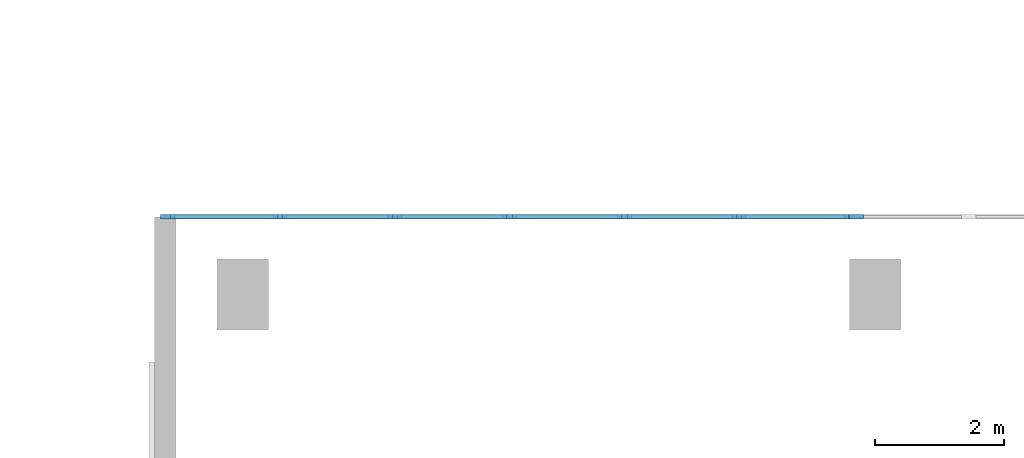
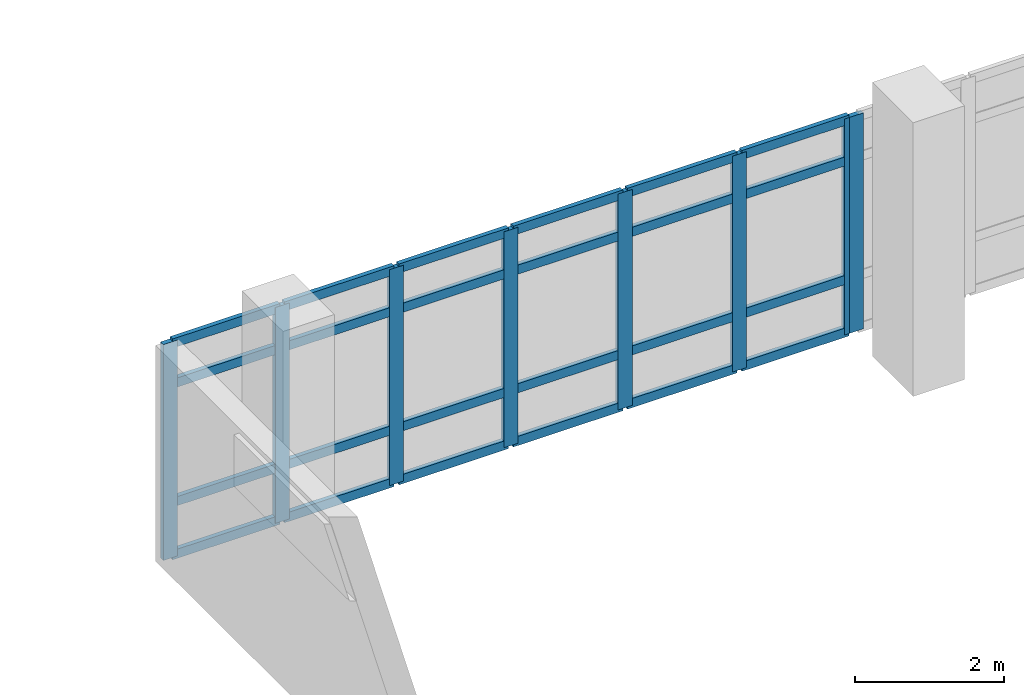
# One storey, part 73 of 120: 32 members, 2 elements without a shape of their own.
"""IFC4 building model written with IfcOpenShell, lengths in metres."""

from ifc_helpers import new_model, si_unit, direction, frame, origin, origin_2d, place, context, subcontext, project, spatial, rectangle, extrude, material, layer, layer_set, material_profile, profile_set, type_object, element, aggregate, save


model = new_model("IFC4")

# Units and contexts
model_context = context("Model", 3, precision=1e-05, world=origin(), true_north=direction((0.0, 1.0)))
body_context = subcontext(model_context, "Body", "Model", "MODEL_VIEW")
ifc_project = project(units=[si_unit("LENGTHUNIT", "METRE"), si_unit("AREAUNIT", "SQUARE_METRE"), si_unit("VOLUMEUNIT", "CUBIC_METRE"), si_unit("PLANEANGLEUNIT", "RADIAN"), si_unit("MASSUNIT", "GRAM", prefix="KILO")], contexts=[model_context])

# Site, building, storey
site_placement = place(None, origin())
site = spatial("IfcSite", under=ifc_project, at=site_placement, CompositionType="ELEMENT")
building_placement = place(site_placement, origin())
building = spatial("IfcBuilding", under=site, at=building_placement, Name="Sohan Crest Arena", CompositionType="ELEMENT")
storey_placement = place(building_placement, frame((0.0, 0.0, 13.5)))
storey = spatial("IfcBuildingStorey", under=building, at=storey_placement, Name="L03", CompositionType="ELEMENT", Elevation=13.5)

# Curtain wall, member
ifc_material = material(Name="Thermally broken anodised aluminium", Category="aluminium")
ifc_layer = layer(ifc_material, 0.2099609375, Name="Thermally broken anodised aluminium")
ifc_layer_set = layer_set([ifc_layer], Name="Thermally broken anodised aluminium")
curtain_wall_type = type_object("IfcCurtainWallType", Name="ARC-CW06", PredefinedType="NOTDEFINED", material=ifc_layer_set)
curtain_wall_1_placement = place(storey_placement, origin())
curtain_wall_1 = element("IfcCurtainWall", 1, at=curtain_wall_1_placement, inside=storey, type_object=curtain_wall_type, Name="Unitised curtain wall CW-221", PredefinedType="NOTDEFINED")
ifc_material_profile_1 = material_profile(ifc_material, rectangle(XDim=0.074951171875, YDim=0.219970703125, at=origin_2d()), Name="ALU-MULL 75x220")
ifc_profile_set_1 = profile_set([ifc_material_profile_1], Name="Thermally broken anodised aluminium")
member_type_1 = type_object("IfcMemberType", Name="ARC-CW-ML04", PredefinedType="MULLION", material=ifc_profile_set_1)
member_1_placement = place(storey_placement, frame((205.70458984375, 112.0, 0.0), z_axis=(0.0, 0.0, 1.0), x_axis=(0.0, -1.0, 0.0)))
member_1 = element("IfcMember", 2, at=member_1_placement, type_object=member_type_1, Name="CW-221 mullion 7", PredefinedType="MULLION", context=body_context, shape_type="SweptSolid", body=[
    extrude(rectangle(XDim=0.074951171875, YDim=0.219970703125, at=origin_2d()), origin(), (0.0, 0.0, 1.0), 3.550048828125),
])
aggregate(curtain_wall_1, [member_1])

# Curtain wall, members
curtain_wall_2_placement = place(storey_placement, origin())
curtain_wall_2 = element("IfcCurtainWall", 3, at=curtain_wall_2_placement, inside=storey, type_object=curtain_wall_type, Name="Unitised curtain wall CW-222", PredefinedType="NOTDEFINED")
member_2_placement = place(storey_placement, frame((205.62939453125, 112.0, 0.0), z_axis=(0.0, 0.0, 1.0), x_axis=(0.0, -1.0, 0.0)))
member_2 = element("IfcMember", 4, at=member_2_placement, type_object=member_type_1, Name="CW-222 mullion 1", PredefinedType="MULLION", context=body_context, shape_type="SweptSolid", body=[
    extrude(rectangle(XDim=0.074951171875, YDim=0.219970703125, at=origin_2d()), origin(), (0.0, 0.0, 1.0), 3.550048828125),
])
member_3_placement = place(storey_placement, frame((203.88916015625, 112.0, 0.0), z_axis=(0.0, 0.0, 1.0), x_axis=(0.0, -1.0, 0.0)))
member_3 = element("IfcMember", 5, at=member_3_placement, type_object=member_type_1, Name="CW-222 mullion 2", PredefinedType="MULLION", context=body_context, shape_type="SweptSolid", body=[
    extrude(rectangle(XDim=0.074951171875, YDim=0.219970703125, at=origin_2d()), origin(), (0.0, 0.0, 1.0), 3.550048828125),
])
member_4_placement = place(storey_placement, frame((202.111328125, 112.0, 0.0), z_axis=(0.0, 0.0, 1.0), x_axis=(0.0, -1.0, 0.0)))
member_4 = element("IfcMember", 6, at=member_4_placement, type_object=member_type_1, Name="CW-222 mullion 3", PredefinedType="MULLION", context=body_context, shape_type="SweptSolid", body=[
    extrude(rectangle(XDim=0.074951171875, YDim=0.219970703125, at=origin_2d()), origin(), (0.0, 0.0, 1.0), 3.550048828125),
])
member_5_placement = place(storey_placement, frame((200.33349609375, 112.0, 0.0), z_axis=(0.0, 0.0, 1.0), x_axis=(0.0, -1.0, 0.0)))
member_5 = element("IfcMember", 7, at=member_5_placement, type_object=member_type_1, Name="CW-222 mullion 4", PredefinedType="MULLION", context=body_context, shape_type="SweptSolid", body=[
    extrude(rectangle(XDim=0.074951171875, YDim=0.219970703125, at=origin_2d()), origin(), (0.0, 0.0, 1.0), 3.550048828125),
])
member_6_placement = place(storey_placement, frame((198.5556640625, 112.0, 0.0), z_axis=(0.0, 0.0, 1.0), x_axis=(0.0, -1.0, 0.0)))
member_6 = element("IfcMember", 8, at=member_6_placement, type_object=member_type_1, Name="CW-222 mullion 5", PredefinedType="MULLION", context=body_context, shape_type="SweptSolid", body=[
    extrude(rectangle(XDim=0.074951171875, YDim=0.219970703125, at=origin_2d()), origin(), (0.0, 0.0, 1.0), 3.550048828125),
])
member_7_placement = place(storey_placement, frame((196.77783203125, 112.0, 0.0), z_axis=(0.0, 0.0, 1.0), x_axis=(0.0, -1.0, 0.0)))
member_7 = element("IfcMember", 9, at=member_7_placement, type_object=member_type_1, Name="CW-222 mullion 6", PredefinedType="MULLION", context=body_context, shape_type="SweptSolid", body=[
    extrude(rectangle(XDim=0.074951171875, YDim=0.219970703125, at=origin_2d()), origin(), (0.0, 0.0, 1.0), 3.550048828125),
])
member_8_placement = place(storey_placement, frame((195.03759765625, 112.0, 0.0), z_axis=(0.0, 0.0, 1.0), x_axis=(0.0, -1.0, 0.0)))
member_8 = element("IfcMember", 10, at=member_8_placement, type_object=member_type_1, Name="CW-222 mullion 7", PredefinedType="MULLION", context=body_context, shape_type="SweptSolid", body=[
    extrude(rectangle(XDim=0.074951171875, YDim=0.219970703125, at=origin_2d()), origin(), (0.0, 0.0, 1.0), 3.550048828125),
])
ifc_material_profile_2 = material_profile(ifc_material, rectangle(XDim=0.070068359375, YDim=0.14990234375, at=origin_2d()), Name="ALU-TRAN 70x150")
ifc_profile_set_2 = profile_set([ifc_material_profile_2], Name="Thermally broken anodised aluminium")
member_type_2 = type_object("IfcMemberType", Name="ARC-CW-TR03", PredefinedType="USERDEFINED", material=ifc_profile_set_2)
member_9_placement = place(storey_placement, frame((205.592041015625, 112.0, 0.034912109375), z_axis=(-1.0, 0.0, 0.0), x_axis=(0.0, -1.0, 0.0)))
member_9 = element("IfcMember", 11, at=member_9_placement, type_object=member_type_2, Name="CW-222 transom 1.1", ObjectType="TRANSOM", PredefinedType="USERDEFINED", context=body_context, shape_type="SweptSolid", body=[
    extrude(rectangle(XDim=0.070068359375, YDim=0.14990234375, at=origin_2d()), origin(), (0.0, 0.0, 1.0), 1.665283203125),
])
member_10_placement = place(storey_placement, frame((205.592041015625, 112.0, 0.89990234375), z_axis=(-1.0, 0.0, 0.0), x_axis=(0.0, -1.0, 0.0)))
member_10 = element("IfcMember", 12, at=member_10_placement, type_object=member_type_2, Name="CW-222 transom 1.2", ObjectType="TRANSOM", PredefinedType="USERDEFINED", context=body_context, shape_type="SweptSolid", body=[
    extrude(rectangle(XDim=0.070068359375, YDim=0.14990234375, at=origin_2d()), origin(), (0.0, 0.0, 1.0), 1.665283203125),
])
member_11_placement = place(storey_placement, frame((205.592041015625, 112.0, 2.85009765625), z_axis=(-1.0, 0.0, 0.0), x_axis=(0.0, -1.0, 0.0)))
member_11 = element("IfcMember", 13, at=member_11_placement, type_object=member_type_2, Name="CW-222 transom 1.3", ObjectType="TRANSOM", PredefinedType="USERDEFINED", context=body_context, shape_type="SweptSolid", body=[
    extrude(rectangle(XDim=0.070068359375, YDim=0.14990234375, at=origin_2d()), origin(), (0.0, 0.0, 1.0), 1.665283203125),
])
member_12_placement = place(storey_placement, frame((205.592041015625, 112.0, 3.514892578125), z_axis=(-1.0, 0.0, 0.0), x_axis=(0.0, -1.0, 0.0)))
member_12 = element("IfcMember", 14, at=member_12_placement, type_object=member_type_2, Name="CW-222 transom 1.4", ObjectType="TRANSOM", PredefinedType="USERDEFINED", context=body_context, shape_type="SweptSolid", body=[
    extrude(rectangle(XDim=0.070068359375, YDim=0.14990234375, at=origin_2d()), origin(), (0.0, 0.0, 1.0), 1.665283203125),
])
member_13_placement = place(storey_placement, frame((203.8515625, 112.0, 0.034912109375), z_axis=(-1.0, 0.0, 0.0), x_axis=(0.0, -1.0, 0.0)))
member_13 = element("IfcMember", 15, at=member_13_placement, type_object=member_type_2, Name="CW-222 transom 2.1", ObjectType="TRANSOM", PredefinedType="USERDEFINED", context=body_context, shape_type="SweptSolid", body=[
    extrude(rectangle(XDim=0.070068359375, YDim=0.14990234375, at=origin_2d()), origin(), (0.0, 0.0, 1.0), 1.70263671875),
])
member_14_placement = place(storey_placement, frame((203.8515625, 112.0, 0.89990234375), z_axis=(-1.0, 0.0, 0.0), x_axis=(0.0, -1.0, 0.0)))
member_14 = element("IfcMember", 16, at=member_14_placement, type_object=member_type_2, Name="CW-222 transom 2.2", ObjectType="TRANSOM", PredefinedType="USERDEFINED", context=body_context, shape_type="SweptSolid", body=[
    extrude(rectangle(XDim=0.070068359375, YDim=0.14990234375, at=origin_2d()), origin(), (0.0, 0.0, 1.0), 1.70263671875),
])
member_15_placement = place(storey_placement, frame((203.8515625, 112.0, 2.85009765625), z_axis=(-1.0, 0.0, 0.0), x_axis=(0.0, -1.0, 0.0)))
member_15 = element("IfcMember", 17, at=member_15_placement, type_object=member_type_2, Name="CW-222 transom 2.3", ObjectType="TRANSOM", PredefinedType="USERDEFINED", context=body_context, shape_type="SweptSolid", body=[
    extrude(rectangle(XDim=0.070068359375, YDim=0.14990234375, at=origin_2d()), origin(), (0.0, 0.0, 1.0), 1.70263671875),
])
member_16_placement = place(storey_placement, frame((203.8515625, 112.0, 3.514892578125), z_axis=(-1.0, 0.0, 0.0), x_axis=(0.0, -1.0, 0.0)))
member_16 = element("IfcMember", 18, at=member_16_placement, type_object=member_type_2, Name="CW-222 transom 2.4", ObjectType="TRANSOM", PredefinedType="USERDEFINED", context=body_context, shape_type="SweptSolid", body=[
    extrude(rectangle(XDim=0.070068359375, YDim=0.14990234375, at=origin_2d()), origin(), (0.0, 0.0, 1.0), 1.70263671875),
])
member_17_placement = place(storey_placement, frame((202.07373046875, 112.0, 0.034912109375), z_axis=(-1.0, 0.0, 0.0), x_axis=(0.0, -1.0, 0.0)))
member_17 = element("IfcMember", 19, at=member_17_placement, type_object=member_type_2, Name="CW-222 transom 3.1", ObjectType="TRANSOM", PredefinedType="USERDEFINED", context=body_context, shape_type="SweptSolid", body=[
    extrude(rectangle(XDim=0.070068359375, YDim=0.14990234375, at=origin_2d()), origin(), (0.0, 0.0, 1.0), 1.70263671875),
])
member_18_placement = place(storey_placement, frame((202.07373046875, 112.0, 0.89990234375), z_axis=(-1.0, 0.0, 0.0), x_axis=(0.0, -1.0, 0.0)))
member_18 = element("IfcMember", 20, at=member_18_placement, type_object=member_type_2, Name="CW-222 transom 3.2", ObjectType="TRANSOM", PredefinedType="USERDEFINED", context=body_context, shape_type="SweptSolid", body=[
    extrude(rectangle(XDim=0.070068359375, YDim=0.14990234375, at=origin_2d()), origin(), (0.0, 0.0, 1.0), 1.70263671875),
])
member_19_placement = place(storey_placement, frame((202.07373046875, 112.0, 2.85009765625), z_axis=(-1.0, 0.0, 0.0), x_axis=(0.0, -1.0, 0.0)))
member_19 = element("IfcMember", 21, at=member_19_placement, type_object=member_type_2, Name="CW-222 transom 3.3", ObjectType="TRANSOM", PredefinedType="USERDEFINED", context=body_context, shape_type="SweptSolid", body=[
    extrude(rectangle(XDim=0.070068359375, YDim=0.14990234375, at=origin_2d()), origin(), (0.0, 0.0, 1.0), 1.70263671875),
])
member_20_placement = place(storey_placement, frame((202.07373046875, 112.0, 3.514892578125), z_axis=(-1.0, 0.0, 0.0), x_axis=(0.0, -1.0, 0.0)))
member_20 = element("IfcMember", 22, at=member_20_placement, type_object=member_type_2, Name="CW-222 transom 3.4", ObjectType="TRANSOM", PredefinedType="USERDEFINED", context=body_context, shape_type="SweptSolid", body=[
    extrude(rectangle(XDim=0.070068359375, YDim=0.14990234375, at=origin_2d()), origin(), (0.0, 0.0, 1.0), 1.70263671875),
])
member_21_placement = place(storey_placement, frame((200.2958984375, 112.0, 0.034912109375), z_axis=(-1.0, 0.0, 0.0), x_axis=(0.0, -1.0, 0.0)))
member_21 = element("IfcMember", 23, at=member_21_placement, type_object=member_type_2, Name="CW-222 transom 4.1", ObjectType="TRANSOM", PredefinedType="USERDEFINED", context=body_context, shape_type="SweptSolid", body=[
    extrude(rectangle(XDim=0.070068359375, YDim=0.14990234375, at=origin_2d()), origin(), (0.0, 0.0, 1.0), 1.70263671875),
])
member_22_placement = place(storey_placement, frame((200.2958984375, 112.0, 0.89990234375), z_axis=(-1.0, 0.0, 0.0), x_axis=(0.0, -1.0, 0.0)))
member_22 = element("IfcMember", 24, at=member_22_placement, type_object=member_type_2, Name="CW-222 transom 4.2", ObjectType="TRANSOM", PredefinedType="USERDEFINED", context=body_context, shape_type="SweptSolid", body=[
    extrude(rectangle(XDim=0.070068359375, YDim=0.14990234375, at=origin_2d()), origin(), (0.0, 0.0, 1.0), 1.70263671875),
])
member_23_placement = place(storey_placement, frame((200.2958984375, 112.0, 2.85009765625), z_axis=(-1.0, 0.0, 0.0), x_axis=(0.0, -1.0, 0.0)))
member_23 = element("IfcMember", 25, at=member_23_placement, type_object=member_type_2, Name="CW-222 transom 4.3", ObjectType="TRANSOM", PredefinedType="USERDEFINED", context=body_context, shape_type="SweptSolid", body=[
    extrude(rectangle(XDim=0.070068359375, YDim=0.14990234375, at=origin_2d()), origin(), (0.0, 0.0, 1.0), 1.70263671875),
])
member_24_placement = place(storey_placement, frame((200.2958984375, 112.0, 3.514892578125), z_axis=(-1.0, 0.0, 0.0), x_axis=(0.0, -1.0, 0.0)))
member_24 = element("IfcMember", 26, at=member_24_placement, type_object=member_type_2, Name="CW-222 transom 4.4", ObjectType="TRANSOM", PredefinedType="USERDEFINED", context=body_context, shape_type="SweptSolid", body=[
    extrude(rectangle(XDim=0.070068359375, YDim=0.14990234375, at=origin_2d()), origin(), (0.0, 0.0, 1.0), 1.70263671875),
])
member_25_placement = place(storey_placement, frame((198.51806640625, 112.0, 0.034912109375), z_axis=(-1.0, 0.0, 0.0), x_axis=(0.0, -1.0, 0.0)))
member_25 = element("IfcMember", 27, at=member_25_placement, type_object=member_type_2, Name="CW-222 transom 5.1", ObjectType="TRANSOM", PredefinedType="USERDEFINED", context=body_context, shape_type="SweptSolid", body=[
    extrude(rectangle(XDim=0.070068359375, YDim=0.14990234375, at=origin_2d()), origin(), (0.0, 0.0, 1.0), 1.70263671875),
])
member_26_placement = place(storey_placement, frame((198.51806640625, 112.0, 0.89990234375), z_axis=(-1.0, 0.0, 0.0), x_axis=(0.0, -1.0, 0.0)))
member_26 = element("IfcMember", 28, at=member_26_placement, type_object=member_type_2, Name="CW-222 transom 5.2", ObjectType="TRANSOM", PredefinedType="USERDEFINED", context=body_context, shape_type="SweptSolid", body=[
    extrude(rectangle(XDim=0.070068359375, YDim=0.14990234375, at=origin_2d()), origin(), (0.0, 0.0, 1.0), 1.70263671875),
])
member_27_placement = place(storey_placement, frame((198.51806640625, 112.0, 2.85009765625), z_axis=(-1.0, 0.0, 0.0), x_axis=(0.0, -1.0, 0.0)))
member_27 = element("IfcMember", 29, at=member_27_placement, type_object=member_type_2, Name="CW-222 transom 5.3", ObjectType="TRANSOM", PredefinedType="USERDEFINED", context=body_context, shape_type="SweptSolid", body=[
    extrude(rectangle(XDim=0.070068359375, YDim=0.14990234375, at=origin_2d()), origin(), (0.0, 0.0, 1.0), 1.70263671875),
])
member_28_placement = place(storey_placement, frame((198.51806640625, 112.0, 3.514892578125), z_axis=(-1.0, 0.0, 0.0), x_axis=(0.0, -1.0, 0.0)))
member_28 = element("IfcMember", 30, at=member_28_placement, type_object=member_type_2, Name="CW-222 transom 5.4", ObjectType="TRANSOM", PredefinedType="USERDEFINED", context=body_context, shape_type="SweptSolid", body=[
    extrude(rectangle(XDim=0.070068359375, YDim=0.14990234375, at=origin_2d()), origin(), (0.0, 0.0, 1.0), 1.70263671875),
])
member_29_placement = place(storey_placement, frame((196.740234375, 112.0, 0.034912109375), z_axis=(-1.0, 0.0, 0.0), x_axis=(0.0, -1.0, 0.0)))
member_29 = element("IfcMember", 31, at=member_29_placement, type_object=member_type_2, Name="CW-222 transom 6.1", ObjectType="TRANSOM", PredefinedType="USERDEFINED", context=body_context, shape_type="SweptSolid", body=[
    extrude(rectangle(XDim=0.070068359375, YDim=0.14990234375, at=origin_2d()), origin(), (0.0, 0.0, 1.0), 1.665283203125),
])
member_30_placement = place(storey_placement, frame((196.740234375, 112.0, 0.89990234375), z_axis=(-1.0, 0.0, 0.0), x_axis=(0.0, -1.0, 0.0)))
member_30 = element("IfcMember", 32, at=member_30_placement, type_object=member_type_2, Name="CW-222 transom 6.2", ObjectType="TRANSOM", PredefinedType="USERDEFINED", context=body_context, shape_type="SweptSolid", body=[
    extrude(rectangle(XDim=0.070068359375, YDim=0.14990234375, at=origin_2d()), origin(), (0.0, 0.0, 1.0), 1.665283203125),
])
member_31_placement = place(storey_placement, frame((196.740234375, 112.0, 2.85009765625), z_axis=(-1.0, 0.0, 0.0), x_axis=(0.0, -1.0, 0.0)))
member_31 = element("IfcMember", 33, at=member_31_placement, type_object=member_type_2, Name="CW-222 transom 6.3", ObjectType="TRANSOM", PredefinedType="USERDEFINED", context=body_context, shape_type="SweptSolid", body=[
    extrude(rectangle(XDim=0.070068359375, YDim=0.14990234375, at=origin_2d()), origin(), (0.0, 0.0, 1.0), 1.665283203125),
])
member_32_placement = place(storey_placement, frame((196.740234375, 112.0, 3.514892578125), z_axis=(-1.0, 0.0, 0.0), x_axis=(0.0, -1.0, 0.0)))
member_32 = element("IfcMember", 34, at=member_32_placement, type_object=member_type_2, Name="CW-222 transom 6.4", ObjectType="TRANSOM", PredefinedType="USERDEFINED", context=body_context, shape_type="SweptSolid", body=[
    extrude(rectangle(XDim=0.070068359375, YDim=0.14990234375, at=origin_2d()), origin(), (0.0, 0.0, 1.0), 1.665283203125),
])
aggregate(curtain_wall_2, [member_2, member_3, member_4, member_5, member_6, member_7, member_8, member_9, member_10, member_11, member_12, member_13, member_14, member_15, member_16, member_17, member_18, member_19, member_20, member_21, member_22, member_23, member_24, member_25, member_26, member_27, member_28, member_29, member_30, member_31, member_32])

save(model, "model.ifc")
